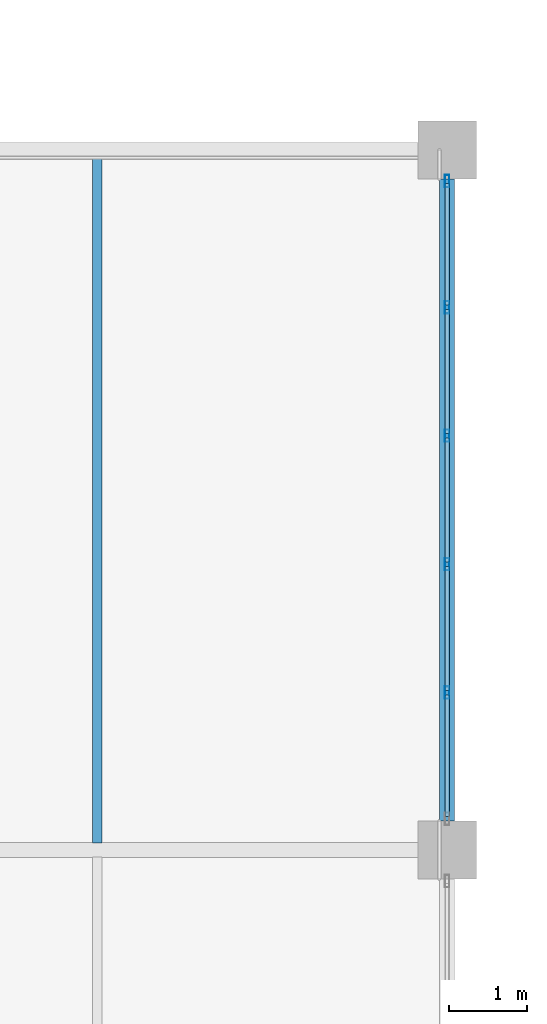
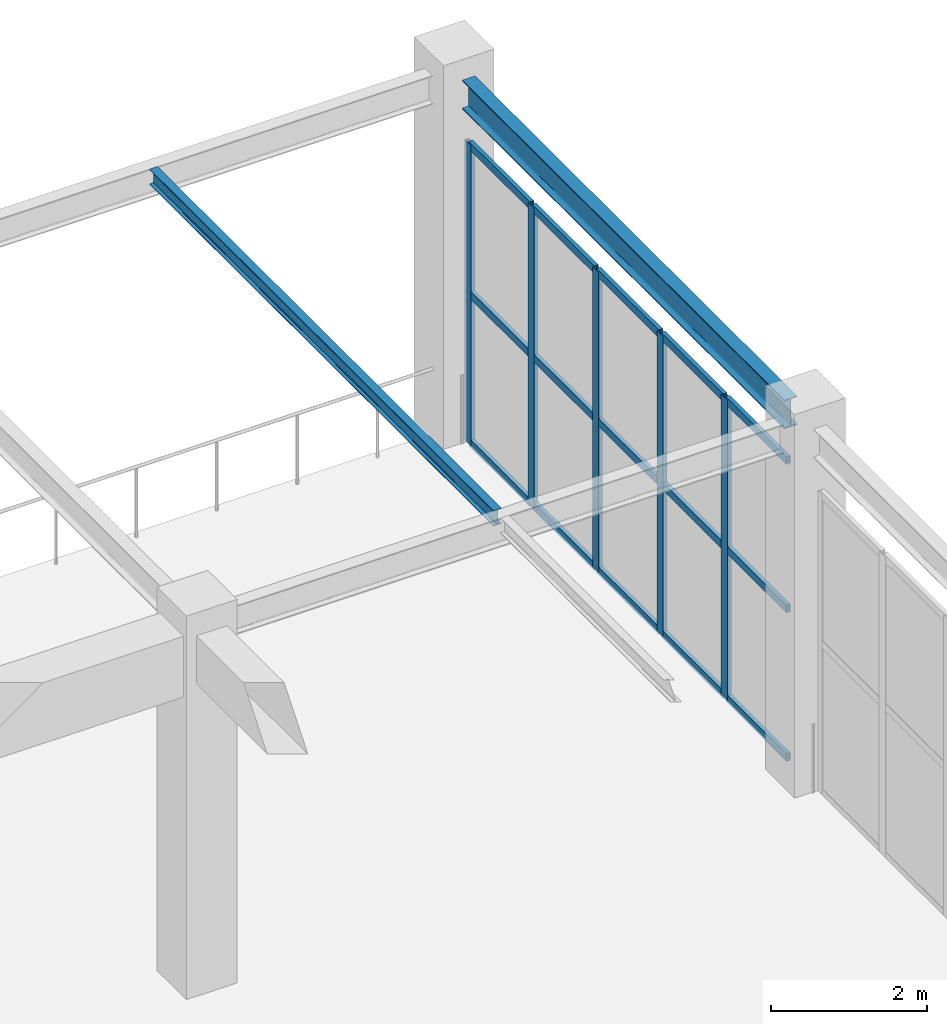
# One storey, part 166 of 223: 20 members, 2 beams, 1 element without a shape of its own.
"""IFC4 building model written with IfcOpenShell, lengths in metres."""

from ifc_helpers import new_model, si_unit, direction, frame, origin, origin_2d, place, context, subcontext, project, spatial, hollow_rectangle, i_section, extrude, material, layer, layer_set, material_profile, profile_set, type_object, element, aggregate, save


model = new_model("IFC4")

# Units and contexts
model_context = context("Model", 3, precision=1e-05, world=origin(), true_north=direction((0.0, 1.0)))
body_context = subcontext(model_context, "Body", "Model", "MODEL_VIEW")
ifc_project = project(units=[si_unit("LENGTHUNIT", "METRE"), si_unit("AREAUNIT", "SQUARE_METRE"), si_unit("VOLUMEUNIT", "CUBIC_METRE"), si_unit("PLANEANGLEUNIT", "RADIAN"), si_unit("MASSUNIT", "GRAM", prefix="KILO")], contexts=[model_context])

# Site, building, storey
site_placement = place(None, origin())
site = spatial("IfcSite", under=ifc_project, at=site_placement, CompositionType="ELEMENT")
building_placement = place(site_placement, origin())
building = spatial("IfcBuilding", under=site, at=building_placement, Name="Dornveld Trade and Exhibition Forum", CompositionType="ELEMENT")
storey_placement = place(building_placement, frame((0.0, 0.0, 6.0)))
storey = spatial("IfcBuildingStorey", under=building, at=storey_placement, Name="L01", CompositionType="ELEMENT", Elevation=6.0)

# Beams
ifc_material_1 = material(Name="Steel S355J2", Category="steel")
ifc_material_profile_1 = material_profile(ifc_material_1, i_section(OverallWidth=0.1201171875, OverallDepth=0.239990234375, WebThickness=0.006103515625, FlangeThickness=0.009765625, FilletRadius=0.014892578125, at=origin_2d()), Name="IPE 240")
ifc_profile_set_1 = profile_set([ifc_material_profile_1], Name="Steel S355J2")
beam_type_1 = type_object("IfcBeamType", Name="BM-JOIST-240", PredefinedType="JOIST", material=ifc_profile_set_1)
beam_1_placement = place(storey_placement, frame((211.5, 135.092041015625, 5.55810546875), z_axis=(0.0, 1.0, 0.0), x_axis=(-1.0, 0.0, 0.0)))
element("IfcBeam", 1, at=beam_1_placement, inside=storey, type_object=beam_type_1, Name="L01 secondary joist 1793", PredefinedType="JOIST", context=body_context, shape_type="SweptSolid", body=[
    extrude(i_section(OverallWidth=0.1201171875, OverallDepth=0.239990234375, WebThickness=0.006103515625, FlangeThickness=0.009765625, FilletRadius=0.014892578125, at=origin_2d()), origin(), (0.0, 0.0, 1.0), 8.81591796875),
])
ifc_material_2 = material(Name="Steel S355J2", Category="steel")
ifc_material_profile_2 = material_profile(ifc_material_2, i_section(OverallWidth=0.18994140625, OverallDepth=0.449951171875, WebThickness=0.009521484375, FlangeThickness=0.0146484375, FilletRadius=0.02099609375, at=origin_2d()), Name="IPE 450")
ifc_profile_set_2 = profile_set([ifc_material_profile_2], Name="Steel S355J2")
beam_type_2 = type_object("IfcBeamType", Name="BM-SEC-450", PredefinedType="BEAM", material=ifc_profile_set_2)
beam_2_placement = place(storey_placement, frame((216.0, 135.37109375, 5.452880859375), z_axis=(0.0, 1.0, 0.0), x_axis=(-1.0, 0.0, 0.0)))
element("IfcBeam", 2, at=beam_2_placement, inside=storey, type_object=beam_type_2, Name="L01 Y-girder 1783", PredefinedType="BEAM", context=body_context, shape_type="SweptSolid", body=[
    extrude(i_section(OverallWidth=0.18994140625, OverallDepth=0.449951171875, WebThickness=0.009521484375, FlangeThickness=0.0146484375, FilletRadius=0.02099609375, at=origin_2d()), origin(), (0.0, 0.0, 1.0), 8.2578125),
])

# Curtain wall, members
ifc_material_3 = material(Name="Dark-bronze anodised aluminium and low-E glass", Category="aluminium")
ifc_layer = layer(ifc_material_3, 0.154052734375)
ifc_layer_set = layer_set([ifc_layer], Name="Dark-bronze anodised aluminium and low-E glass")
curtain_wall_type = type_object("IfcCurtainWallType", Name="CW-SYS-04", PredefinedType="USERDEFINED", material=ifc_layer_set)
curtain_wall_placement = place(storey_placement, origin())
curtain_wall = element("IfcCurtainWall", 3, at=curtain_wall_placement, inside=storey, type_object=curtain_wall_type, Name="L01 unitised curtain wall 112", ObjectType="UNITISED_CURTAIN_WALL", PredefinedType="USERDEFINED")
ifc_material_4 = material(Name="Dark-bronze anodised aluminium", Category="aluminium")
ifc_material_profile_3 = material_profile(ifc_material_4, hollow_rectangle(XDim=0.06005859375, YDim=0.159912109375, WallThickness=0.00390625, at=origin_2d()), Name="RHS 160x60x4")
ifc_profile_set_3 = profile_set([ifc_material_profile_3], Name="Dark-bronze anodised aluminium")
member_type_1 = type_object("IfcMemberType", Name="CW-MUL-160", PredefinedType="MULLION", material=ifc_profile_set_3)
member_1_placement = place(storey_placement, frame((216.0, 137.022705078125, -0.00390625), z_axis=(0.0, 0.0, 1.0), x_axis=(-1.0, 0.0, 0.0)))
member_1 = element("IfcMember", 4, at=member_1_placement, type_object=member_type_1, Name="CW-04 mullion 2", PredefinedType="MULLION", context=body_context, shape_type="SweptSolid", body=[
    extrude(hollow_rectangle(XDim=0.06005859375, YDim=0.159912109375, WallThickness=0.00390625, at=origin_2d()), origin(), (0.0, 0.0, 1.0), 4.703857421875),
])
member_2_placement = place(storey_placement, frame((216.0, 138.67431640625, -0.00390625), z_axis=(0.0, 0.0, 1.0), x_axis=(-1.0, 0.0, 0.0)))
member_2 = element("IfcMember", 5, at=member_2_placement, type_object=member_type_1, Name="CW-04 mullion 3", PredefinedType="MULLION", context=body_context, shape_type="SweptSolid", body=[
    extrude(hollow_rectangle(XDim=0.06005859375, YDim=0.159912109375, WallThickness=0.00390625, at=origin_2d()), origin(), (0.0, 0.0, 1.0), 4.703857421875),
])
member_3_placement = place(storey_placement, frame((216.0, 140.32568359375, -0.00390625), z_axis=(0.0, 0.0, 1.0), x_axis=(-1.0, 0.0, 0.0)))
member_3 = element("IfcMember", 6, at=member_3_placement, type_object=member_type_1, Name="CW-04 mullion 4", PredefinedType="MULLION", context=body_context, shape_type="SweptSolid", body=[
    extrude(hollow_rectangle(XDim=0.06005859375, YDim=0.159912109375, WallThickness=0.00390625, at=origin_2d()), origin(), (0.0, 0.0, 1.0), 4.703857421875),
])
member_4_placement = place(storey_placement, frame((216.0, 141.977294921875, -0.00390625), z_axis=(0.0, 0.0, 1.0), x_axis=(-1.0, 0.0, 0.0)))
member_4 = element("IfcMember", 7, at=member_4_placement, type_object=member_type_1, Name="CW-04 mullion 5", PredefinedType="MULLION", context=body_context, shape_type="SweptSolid", body=[
    extrude(hollow_rectangle(XDim=0.06005859375, YDim=0.159912109375, WallThickness=0.00390625, at=origin_2d()), origin(), (0.0, 0.0, 1.0), 4.703857421875),
])
member_5_placement = place(storey_placement, frame((216.0, 143.59912109375, -0.00390625), z_axis=(0.0, 0.0, 1.0), x_axis=(-1.0, 0.0, 0.0)))
member_5 = element("IfcMember", 8, at=member_5_placement, type_object=member_type_1, Name="CW-04 mullion 6", PredefinedType="MULLION", context=body_context, shape_type="SweptSolid", body=[
    extrude(hollow_rectangle(XDim=0.06005859375, YDim=0.159912109375, WallThickness=0.00390625, at=origin_2d()), origin(), (0.0, 0.0, 1.0), 4.703857421875),
])
ifc_material_5 = material(Name="Dark-bronze anodised aluminium", Category="aluminium")
ifc_material_profile_4 = material_profile(ifc_material_5, hollow_rectangle(XDim=0.06005859375, YDim=0.1201171875, WallThickness=0.00390625, at=origin_2d()), Name="RHS 120x60x4")
ifc_profile_set_4 = profile_set([ifc_material_profile_4], Name="Dark-bronze anodised aluminium")
member_type_2 = type_object("IfcMemberType", Name="CW-TRN-120", PredefinedType="USERDEFINED", material=ifc_profile_set_4)
member_6_placement = place(storey_placement, frame((216.0, 135.430908203125, 0.02587890625), z_axis=(0.0, 1.0, 0.0), x_axis=(-1.0, 0.0, 0.0)))
member_6 = element("IfcMember", 9, at=member_6_placement, type_object=member_type_2, Name="CW-04 transom 1.1", ObjectType="TRANSOM", PredefinedType="USERDEFINED", context=body_context, shape_type="SweptSolid", body=[
    extrude(hollow_rectangle(XDim=0.06005859375, YDim=0.1201171875, WallThickness=0.00390625, at=origin_2d()), origin(), (0.0, 0.0, 1.0), 1.561767578125),
])
member_7_placement = place(storey_placement, frame((216.0, 135.430908203125, 2.347900390625), z_axis=(0.0, 1.0, 0.0), x_axis=(-1.0, 0.0, 0.0)))
member_7 = element("IfcMember", 10, at=member_7_placement, type_object=member_type_2, Name="CW-04 transom 1.2", ObjectType="TRANSOM", PredefinedType="USERDEFINED", context=body_context, shape_type="SweptSolid", body=[
    extrude(hollow_rectangle(XDim=0.06005859375, YDim=0.1201171875, WallThickness=0.00390625, at=origin_2d()), origin(), (0.0, 0.0, 1.0), 1.561767578125),
])
member_8_placement = place(storey_placement, frame((216.0, 135.430908203125, 4.669921875), z_axis=(0.0, 1.0, 0.0), x_axis=(-1.0, 0.0, 0.0)))
member_8 = element("IfcMember", 11, at=member_8_placement, type_object=member_type_2, Name="CW-04 transom 1.3", ObjectType="TRANSOM", PredefinedType="USERDEFINED", context=body_context, shape_type="SweptSolid", body=[
    extrude(hollow_rectangle(XDim=0.06005859375, YDim=0.1201171875, WallThickness=0.00390625, at=origin_2d()), origin(), (0.0, 0.0, 1.0), 1.561767578125),
])
member_9_placement = place(storey_placement, frame((216.0, 137.052490234375, 0.02587890625), z_axis=(0.0, 1.0, 0.0), x_axis=(-1.0, 0.0, 0.0)))
member_9 = element("IfcMember", 12, at=member_9_placement, type_object=member_type_2, Name="CW-04 transom 2.1", ObjectType="TRANSOM", PredefinedType="USERDEFINED", context=body_context, shape_type="SweptSolid", body=[
    extrude(hollow_rectangle(XDim=0.06005859375, YDim=0.1201171875, WallThickness=0.00390625, at=origin_2d()), origin(), (0.0, 0.0, 1.0), 1.591796875),
])
member_10_placement = place(storey_placement, frame((216.0, 137.052490234375, 2.347900390625), z_axis=(0.0, 1.0, 0.0), x_axis=(-1.0, 0.0, 0.0)))
member_10 = element("IfcMember", 13, at=member_10_placement, type_object=member_type_2, Name="CW-04 transom 2.2", ObjectType="TRANSOM", PredefinedType="USERDEFINED", context=body_context, shape_type="SweptSolid", body=[
    extrude(hollow_rectangle(XDim=0.06005859375, YDim=0.1201171875, WallThickness=0.00390625, at=origin_2d()), origin(), (0.0, 0.0, 1.0), 1.591796875),
])
member_11_placement = place(storey_placement, frame((216.0, 137.052490234375, 4.669921875), z_axis=(0.0, 1.0, 0.0), x_axis=(-1.0, 0.0, 0.0)))
member_11 = element("IfcMember", 14, at=member_11_placement, type_object=member_type_2, Name="CW-04 transom 2.3", ObjectType="TRANSOM", PredefinedType="USERDEFINED", context=body_context, shape_type="SweptSolid", body=[
    extrude(hollow_rectangle(XDim=0.06005859375, YDim=0.1201171875, WallThickness=0.00390625, at=origin_2d()), origin(), (0.0, 0.0, 1.0), 1.591796875),
])
member_12_placement = place(storey_placement, frame((216.0, 138.7041015625, 0.02587890625), z_axis=(0.0, 1.0, 0.0), x_axis=(-1.0, 0.0, 0.0)))
member_12 = element("IfcMember", 15, at=member_12_placement, type_object=member_type_2, Name="CW-04 transom 3.1", ObjectType="TRANSOM", PredefinedType="USERDEFINED", context=body_context, shape_type="SweptSolid", body=[
    extrude(hollow_rectangle(XDim=0.06005859375, YDim=0.1201171875, WallThickness=0.00390625, at=origin_2d()), origin(), (0.0, 0.0, 1.0), 1.591796875),
])
member_13_placement = place(storey_placement, frame((216.0, 138.7041015625, 2.347900390625), z_axis=(0.0, 1.0, 0.0), x_axis=(-1.0, 0.0, 0.0)))
member_13 = element("IfcMember", 16, at=member_13_placement, type_object=member_type_2, Name="CW-04 transom 3.2", ObjectType="TRANSOM", PredefinedType="USERDEFINED", context=body_context, shape_type="SweptSolid", body=[
    extrude(hollow_rectangle(XDim=0.06005859375, YDim=0.1201171875, WallThickness=0.00390625, at=origin_2d()), origin(), (0.0, 0.0, 1.0), 1.591796875),
])
member_14_placement = place(storey_placement, frame((216.0, 138.7041015625, 4.669921875), z_axis=(0.0, 1.0, 0.0), x_axis=(-1.0, 0.0, 0.0)))
member_14 = element("IfcMember", 17, at=member_14_placement, type_object=member_type_2, Name="CW-04 transom 3.3", ObjectType="TRANSOM", PredefinedType="USERDEFINED", context=body_context, shape_type="SweptSolid", body=[
    extrude(hollow_rectangle(XDim=0.06005859375, YDim=0.1201171875, WallThickness=0.00390625, at=origin_2d()), origin(), (0.0, 0.0, 1.0), 1.591796875),
])
member_15_placement = place(storey_placement, frame((216.0, 140.355712890625, 0.02587890625), z_axis=(0.0, 1.0, 0.0), x_axis=(-1.0, 0.0, 0.0)))
member_15 = element("IfcMember", 18, at=member_15_placement, type_object=member_type_2, Name="CW-04 transom 4.1", ObjectType="TRANSOM", PredefinedType="USERDEFINED", context=body_context, shape_type="SweptSolid", body=[
    extrude(hollow_rectangle(XDim=0.06005859375, YDim=0.1201171875, WallThickness=0.00390625, at=origin_2d()), origin(), (0.0, 0.0, 1.0), 1.591796875),
])
member_16_placement = place(storey_placement, frame((216.0, 140.355712890625, 2.347900390625), z_axis=(0.0, 1.0, 0.0), x_axis=(-1.0, 0.0, 0.0)))
member_16 = element("IfcMember", 19, at=member_16_placement, type_object=member_type_2, Name="CW-04 transom 4.2", ObjectType="TRANSOM", PredefinedType="USERDEFINED", context=body_context, shape_type="SweptSolid", body=[
    extrude(hollow_rectangle(XDim=0.06005859375, YDim=0.1201171875, WallThickness=0.00390625, at=origin_2d()), origin(), (0.0, 0.0, 1.0), 1.591796875),
])
member_17_placement = place(storey_placement, frame((216.0, 140.355712890625, 4.669921875), z_axis=(0.0, 1.0, 0.0), x_axis=(-1.0, 0.0, 0.0)))
member_17 = element("IfcMember", 20, at=member_17_placement, type_object=member_type_2, Name="CW-04 transom 4.3", ObjectType="TRANSOM", PredefinedType="USERDEFINED", context=body_context, shape_type="SweptSolid", body=[
    extrude(hollow_rectangle(XDim=0.06005859375, YDim=0.1201171875, WallThickness=0.00390625, at=origin_2d()), origin(), (0.0, 0.0, 1.0), 1.591796875),
])
member_18_placement = place(storey_placement, frame((216.0, 142.00732421875, 0.02587890625), z_axis=(0.0, 1.0, 0.0), x_axis=(-1.0, 0.0, 0.0)))
member_18 = element("IfcMember", 21, at=member_18_placement, type_object=member_type_2, Name="CW-04 transom 5.1", ObjectType="TRANSOM", PredefinedType="USERDEFINED", context=body_context, shape_type="SweptSolid", body=[
    extrude(hollow_rectangle(XDim=0.06005859375, YDim=0.1201171875, WallThickness=0.00390625, at=origin_2d()), origin(), (0.0, 0.0, 1.0), 1.561767578125),
])
member_19_placement = place(storey_placement, frame((216.0, 142.00732421875, 2.347900390625), z_axis=(0.0, 1.0, 0.0), x_axis=(-1.0, 0.0, 0.0)))
member_19 = element("IfcMember", 22, at=member_19_placement, type_object=member_type_2, Name="CW-04 transom 5.2", ObjectType="TRANSOM", PredefinedType="USERDEFINED", context=body_context, shape_type="SweptSolid", body=[
    extrude(hollow_rectangle(XDim=0.06005859375, YDim=0.1201171875, WallThickness=0.00390625, at=origin_2d()), origin(), (0.0, 0.0, 1.0), 1.561767578125),
])
member_20_placement = place(storey_placement, frame((216.0, 142.00732421875, 4.669921875), z_axis=(0.0, 1.0, 0.0), x_axis=(-1.0, 0.0, 0.0)))
member_20 = element("IfcMember", 23, at=member_20_placement, type_object=member_type_2, Name="CW-04 transom 5.3", ObjectType="TRANSOM", PredefinedType="USERDEFINED", context=body_context, shape_type="SweptSolid", body=[
    extrude(hollow_rectangle(XDim=0.06005859375, YDim=0.1201171875, WallThickness=0.00390625, at=origin_2d()), origin(), (0.0, 0.0, 1.0), 1.561767578125),
])
aggregate(curtain_wall, [member_1, member_2, member_3, member_4, member_5, member_6, member_7, member_8, member_9, member_10, member_11, member_12, member_13, member_14, member_15, member_16, member_17, member_18, member_19, member_20])

save(model, "model.ifc")
